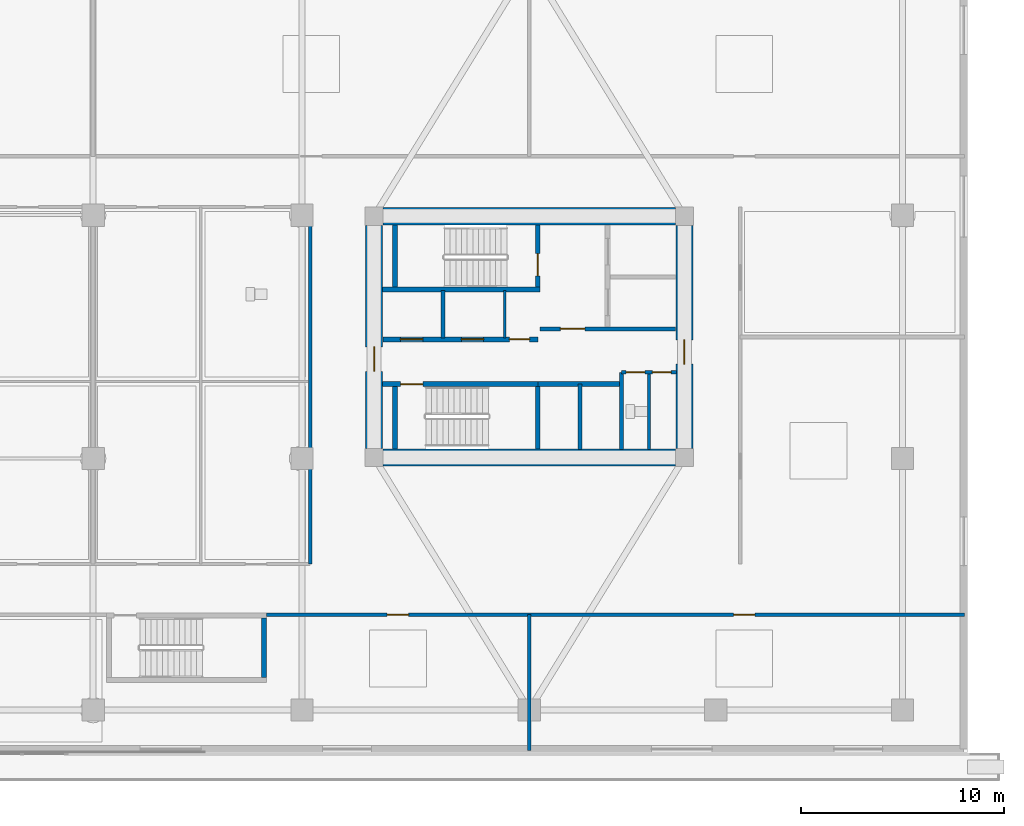
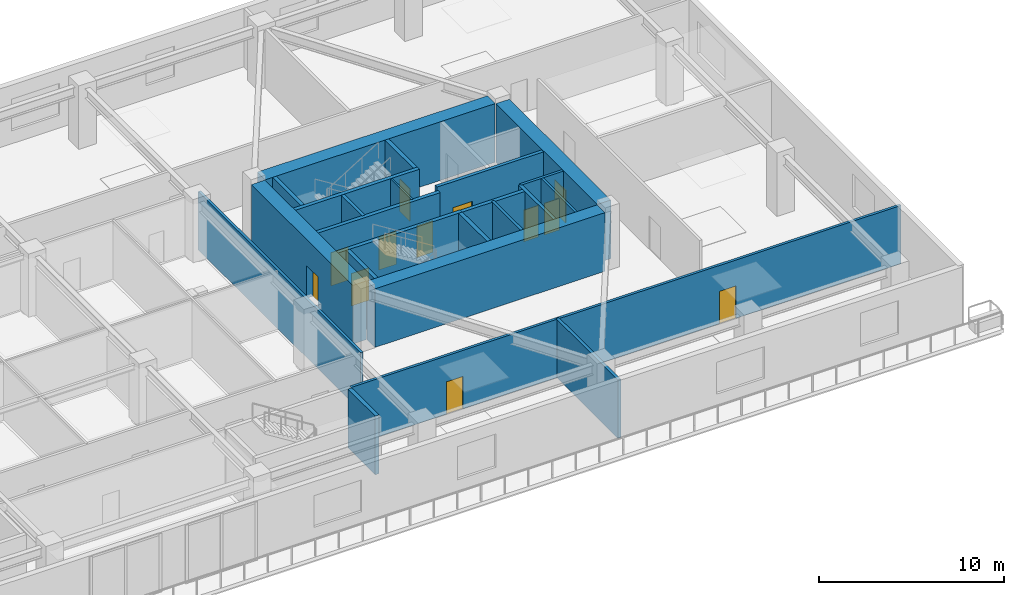
# One storey, part 10 of 22: 23 walls, 12 doors, 12 openings.
"""IFC4 building model written with IfcOpenShell, lengths in metres."""

from ifc_helpers import new_model, si_unit, direction, frame, frame_2d, origin, place, context, subcontext, project, spatial, rectangle, extrude, source, transform, mapped, material, layer, layer_set, type_object, type_shapes, element, fill, save


model = new_model("IFC4")

# Units and contexts
model_context = context("Model", 3, precision=1e-05, world=origin(), true_north=direction((0.0, 1.0)))
body_context = subcontext(model_context, "Body", "Model", "MODEL_VIEW")
ifc_project = project(units=[si_unit("LENGTHUNIT", "METRE"), si_unit("AREAUNIT", "SQUARE_METRE"), si_unit("VOLUMEUNIT", "CUBIC_METRE"), si_unit("PLANEANGLEUNIT", "RADIAN"), si_unit("MASSUNIT", "GRAM", prefix="KILO")], contexts=[model_context])

# Site, building, storey
site_placement = place(None, origin())
site = spatial("IfcSite", under=ifc_project, at=site_placement, CompositionType="ELEMENT")
building_placement = place(site_placement, origin())
building = spatial("IfcBuilding", under=site, at=building_placement, Name="Norrkilde Senior Care Towers", CompositionType="ELEMENT")
storey_placement = place(building_placement, frame((0.0, 0.0, 12.60009765625)))
storey = spatial("IfcBuildingStorey", under=building, at=storey_placement, Name="L03", CompositionType="ELEMENT", Elevation=12.60009765625)

# Walls
ifc_material_1 = material(Name="Concrete C60/75", Category="concrete")
ifc_layer_1 = layer(ifc_material_1, 0.85009765625)
ifc_layer_set_1 = layer_set([ifc_layer_1], Name="Concrete C60/75")
wall_type_1 = type_object("IfcWallType", Name="Core Shear Wall Z1 850", PredefinedType="SHEAR", material=ifc_layer_set_1)
shared_shape_1 = source(origin(), body_context, "Body", "SweptSolid", [
    extrude(rectangle(XDim=14.39990234375, YDim=0.85009765625, at=frame_2d((7.199951171875, 0.0))), origin(), (0.0, 0.0, 1.0), 3.8798828125),
])
for number, where, z_axis, x_axis, name in (
    (1, (20.800048828125, 5.949951171875, 0.0), (0.0, 0.0, 1.0), (1.0, 0.0, 0.0), "L03 Core E North Shear Wall"),
    (2, (35.199951171875, -5.949951171875, 0.0), (0.0, 0.0, 1.0), (-1.0, 0.0, 0.0), "L03 Core E South Shear Wall"),
):
    element("IfcWall", number, at=place(storey_placement, frame(where, z_axis=z_axis, x_axis=x_axis)), inside=storey, type_object=wall_type_1, Name=name, PredefinedType="SHEAR", context=body_context, shape_type="MappedRepresentation", body=[
        mapped(shared_shape_1, transform((0.0, 0.0, 0.0), x_axis=(1.0, 0.0, 0.0), y_axis=(0.0, 1.0, 0.0), z_axis=(0.0, 0.0, 1.0), scale=1.0)),
    ])

# Wall, opening, door
shared_shape_2 = source(origin(), body_context, "Body", "SweptSolid", [
    extrude(rectangle(XDim=11.0, YDim=0.85009765625, at=frame_2d((5.5, 0.0))), origin(), (0.0, 0.0, 1.0), 3.8798828125),
])
type_shapes(wall_type_1, [shared_shape_1, shared_shape_2])
wall_1_placement = place(storey_placement, frame((20.35009765625, -5.5, 0.0), z_axis=(0.0, 0.0, 1.0), x_axis=(0.0, 1.0, 0.0)))
wall_1 = element("IfcWall", 3, at=wall_1_placement, inside=storey, type_object=wall_type_1, Name="L03 Core E West Shear Wall", PredefinedType="SHEAR", context=body_context, shape_type="MappedRepresentation", body=[
    mapped(shared_shape_2, transform((0.0, 0.0, 0.0), x_axis=(1.0, 0.0, 0.0), y_axis=(0.0, 1.0, 0.0), z_axis=(0.0, 0.0, 1.0), scale=1.0)),
])
opening_1_placement = place(wall_1_placement, frame((3.800048828125, 0.0, 0.0)))
opening_1 = element("IfcOpeningElement", 4, at=opening_1_placement, cuts=wall_1, Name="Opening D-04", PredefinedType="OPENING", context=body_context, shape_type="SweptSolid", body=[
    extrude(rectangle(XDim=1.199951171875, YDim=2.14990234375, at=frame_2d((0.60009765625, 1.074951171875))), frame((0.0, 0.43505859375, 0.0), z_axis=(0.0, -1.0, 0.0), x_axis=(1.0, 0.0, 0.0)), (0.0, 0.0, 1.0), 0.8701171875),
])
ifc_material_2 = material(Name="Galvanised Painted Steel", Category="steel")
door_type_1 = type_object("IfcDoorType", Name="Firefighting Lobby Fire Door 1200x2150", OperationType="NOTDEFINED", PredefinedType="DOOR", material=ifc_material_2)
shared_shape_3 = source(origin(), body_context, "Body", "SweptSolid", [
    extrude(rectangle(XDim=1.199951171875, YDim=2.14990234375, at=frame_2d((0.60009765625, 1.074951171875))), frame((0.0, 0.02490234375, 0.0), z_axis=(0.0, -1.0, 0.0), x_axis=(1.0, 0.0, 0.0)), (0.0, 0.0, 1.0), 0.050048828125),
])
type_shapes(door_type_1, [shared_shape_3])
door_1_placement = place(opening_1_placement, frame((1.199951171875, 0.0, 0.0), z_axis=(0.0, 0.0, 1.0), x_axis=(-1.0, 0.0, 0.0)))
door_1 = element("IfcDoor", 5, at=door_1_placement, inside=storey, type_object=door_type_1, Name="L03 Core E West Portal Door", OperationType="SINGLE_SWING_LEFT", OverallHeight=2.14990234375, OverallWidth=1.199951171875, PredefinedType="DOOR", context=body_context, shape_type="MappedRepresentation", body=[
    mapped(shared_shape_3, transform((0.0, 0.0, 0.0), x_axis=(1.0, 0.0, 0.0), y_axis=(0.0, 1.0, 0.0), z_axis=(0.0, 0.0, 1.0), scale=1.0)),
])
fill(opening_1, door_1)

wall_2_placement = place(storey_placement, frame((35.64990234375, 5.5, 0.0), z_axis=(0.0, 0.0, 1.0), x_axis=(0.0, -1.0, 0.0)))
wall_2 = element("IfcWall", 6, at=wall_2_placement, inside=storey, type_object=wall_type_1, Name="L03 Core E East Shear Wall", PredefinedType="SHEAR", context=body_context, shape_type="MappedRepresentation", body=[
    mapped(shared_shape_2, transform((0.0, 0.0, 0.0), x_axis=(1.0, 0.0, 0.0), y_axis=(0.0, 1.0, 0.0), z_axis=(0.0, 0.0, 1.0), scale=1.0)),
])
opening_2_placement = place(wall_2_placement, frame((5.64990234375, 0.0, 0.0)))
opening_2 = element("IfcOpeningElement", 7, at=opening_2_placement, cuts=wall_2, Name="Opening D-04", PredefinedType="OPENING", context=body_context, shape_type="SweptSolid", body=[
    extrude(rectangle(XDim=1.199951171875, YDim=2.14990234375, at=frame_2d((0.60009765625, 1.074951171875))), frame((0.0, 0.43505859375, 0.0), z_axis=(0.0, -1.0, 0.0), x_axis=(1.0, 0.0, 0.0)), (0.0, 0.0, 1.0), 0.8701171875),
])
door_2_placement = place(opening_2_placement, frame((1.199951171875, 0.0, 0.0), z_axis=(0.0, 0.0, 1.0), x_axis=(-1.0, 0.0, 0.0)))
door_2 = element("IfcDoor", 8, at=door_2_placement, inside=storey, type_object=door_type_1, Name="L03 Core E East Portal Door", OperationType="SINGLE_SWING_RIGHT", OverallHeight=2.14990234375, OverallWidth=1.199951171875, PredefinedType="DOOR", context=body_context, shape_type="MappedRepresentation", body=[
    mapped(shared_shape_3, transform((0.0, 0.0, 0.0), x_axis=(1.0, 0.0, 0.0), y_axis=(0.0, 1.0, 0.0), z_axis=(0.0, 0.0, 1.0), scale=1.0)),
])
fill(opening_2, door_2)

# Wall
ifc_material_3 = material(Name="Concrete C45/55", Category="concrete")
ifc_layer_2 = layer(ifc_material_3, 0.239990234375)
ifc_layer_set_2 = layer_set([ifc_layer_2], Name="Concrete C45/55")
wall_type_2 = type_object("IfcWallType", Name="Shaft and Stair Enclosure Wall 240", PredefinedType="PARTITIONING", material=ifc_layer_set_2)
shared_shape_4 = source(origin(), body_context, "Body", "SweptSolid", [
    extrude(rectangle(XDim=7.76513671875, YDim=0.239990234375, at=frame_2d((3.882568359375, 0.0))), origin(), (0.0, 0.0, 1.0), 3.8798828125),
])
wall_3_placement = place(storey_placement, frame((20.77490234375, 2.330078125, 0.0), z_axis=(0.0, 0.0, 1.0), x_axis=(1.0, 0.0, 0.0)))
element("IfcWall", 9, at=wall_3_placement, inside=storey, type_object=wall_type_2, Name="WL-INT-L03-E-ST1S", PredefinedType="PARTITIONING", context=body_context, shape_type="MappedRepresentation", body=[
    mapped(shared_shape_4, transform((0.0, 0.0, 0.0), x_axis=(1.0, 0.0, 0.0), y_axis=(0.0, 1.0, 0.0), z_axis=(0.0, 0.0, 1.0), scale=1.0)),
])

# Wall, opening, door
wall_4_placement = place(storey_placement, frame((20.77490234375, -2.330078125, 0.0), z_axis=(0.0, 0.0, 1.0), x_axis=(1.0, 0.0, 0.0)))
wall_4 = element("IfcWall", 10, at=wall_4_placement, inside=storey, type_object=wall_type_2, Name="WL-INT-L03-E-ST2N", PredefinedType="PARTITIONING", context=body_context, shape_type="MappedRepresentation", body=[
    mapped(shared_shape_4, transform((0.0, 0.0, 0.0), x_axis=(1.0, 0.0, 0.0), y_axis=(0.0, 1.0, 0.0), z_axis=(0.0, 0.0, 1.0), scale=1.0)),
])
opening_3_placement = place(wall_4_placement, frame((0.885009765625, 0.0, 0.0)))
opening_3 = element("IfcOpeningElement", 11, at=opening_3_placement, cuts=wall_4, Name="Opening D-03", PredefinedType="OPENING", context=body_context, shape_type="SweptSolid", body=[
    extrude(rectangle(XDim=1.10009765625, YDim=2.14990234375, at=frame_2d((0.550048828125, 1.074951171875))), frame((0.0, 0.1298828125, 0.0), z_axis=(0.0, -1.0, 0.0), x_axis=(1.0, 0.0, 0.0)), (0.0, 0.0, 1.0), 0.260009765625),
])
door_type_2 = type_object("IfcDoorType", Name="Stairwell Protected Fire Door 1100x2150", OperationType="NOTDEFINED", PredefinedType="DOOR", material=ifc_material_2)
shared_shape_5 = source(origin(), body_context, "Body", "SweptSolid", [
    extrude(rectangle(XDim=1.10009765625, YDim=2.14990234375, at=frame_2d((0.550048828125, 1.074951171875))), frame((0.0, 0.02490234375, 0.0), z_axis=(0.0, -1.0, 0.0), x_axis=(1.0, 0.0, 0.0)), (0.0, 0.0, 1.0), 0.050048828125),
])
type_shapes(door_type_2, [shared_shape_5])
door_3_placement = place(opening_3_placement, frame((1.10009765625, 0.0, 0.0), z_axis=(0.0, 0.0, 1.0), x_axis=(-1.0, 0.0, 0.0)))
door_3 = element("IfcDoor", 12, at=door_3_placement, inside=storey, type_object=door_type_2, Name="L03 Stair E2 Fire Door", OperationType="SINGLE_SWING_RIGHT", OverallHeight=2.14990234375, OverallWidth=1.10009765625, PredefinedType="DOOR", context=body_context, shape_type="MappedRepresentation", body=[
    mapped(shared_shape_5, transform((0.0, 0.0, 0.0), x_axis=(1.0, 0.0, 0.0), y_axis=(0.0, 1.0, 0.0), z_axis=(0.0, 0.0, 1.0), scale=1.0)),
])
fill(opening_3, door_3)

# Wall
shared_shape_6 = source(origin(), body_context, "Body", "SweptSolid", [
    extrude(rectangle(XDim=3.074951171875, YDim=0.239990234375, at=frame_2d((1.53759765625, 0.0))), origin(), (0.0, 0.0, 1.0), 3.8798828125),
])
wall_5_placement = place(storey_placement, frame((21.3798828125, 2.449951171875, 0.0), z_axis=(0.0, 0.0, 1.0), x_axis=(0.0, 1.0, 0.0)))
element("IfcWall", 13, at=wall_5_placement, inside=storey, type_object=wall_type_2, Name="WL-INT-L03-E-ST1W", PredefinedType="PARTITIONING", context=body_context, shape_type="MappedRepresentation", body=[
    mapped(shared_shape_6, transform((0.0, 0.0, 0.0), x_axis=(1.0, 0.0, 0.0), y_axis=(0.0, 1.0, 0.0), z_axis=(0.0, 0.0, 1.0), scale=1.0)),
])

# Wall, opening, door
wall_6_placement = place(storey_placement, frame((28.419921875, 2.449951171875, 0.0), z_axis=(0.0, 0.0, 1.0), x_axis=(0.0, 1.0, 0.0)))
wall_6 = element("IfcWall", 14, at=wall_6_placement, inside=storey, type_object=wall_type_2, Name="WL-INT-L03-E-ST1E", PredefinedType="PARTITIONING", context=body_context, shape_type="MappedRepresentation", body=[
    mapped(shared_shape_6, transform((0.0, 0.0, 0.0), x_axis=(1.0, 0.0, 0.0), y_axis=(0.0, 1.0, 0.0), z_axis=(0.0, 0.0, 1.0), scale=1.0)),
])
opening_4_placement = place(wall_6_placement, frame((0.550048828125, 0.0, 0.0)))
opening_4 = element("IfcOpeningElement", 15, at=opening_4_placement, cuts=wall_6, Name="Opening D-03", PredefinedType="OPENING", context=body_context, shape_type="SweptSolid", body=[
    extrude(rectangle(XDim=1.10009765625, YDim=2.14990234375, at=frame_2d((0.550048828125, 1.074951171875))), frame((0.0, 0.1298828125, 0.0), z_axis=(0.0, -1.0, 0.0), x_axis=(1.0, 0.0, 0.0)), (0.0, 0.0, 1.0), 0.260009765625),
])
door_4_placement = place(opening_4_placement, origin())
door_4 = element("IfcDoor", 16, at=door_4_placement, inside=storey, type_object=door_type_2, Name="L03 Stair E1 Fire Door", OperationType="SINGLE_SWING_LEFT", OverallHeight=2.14990234375, OverallWidth=1.10009765625, PredefinedType="DOOR", context=body_context, shape_type="MappedRepresentation", body=[
    mapped(shared_shape_5, transform((0.0, 0.0, 0.0), x_axis=(1.0, 0.0, 0.0), y_axis=(0.0, 1.0, 0.0), z_axis=(0.0, 0.0, 1.0), scale=1.0)),
])
fill(opening_4, door_4)

# Walls
for number, where, z_axis, x_axis, name in (
    (17, (21.3798828125, -5.52490234375, 0.0), (0.0, 0.0, 1.0), (0.0, 1.0, 0.0), "WL-INT-L03-E-ST2W"),
    (18, (28.419921875, -5.52490234375, 0.0), (0.0, 0.0, 1.0), (0.0, 1.0, 0.0), "WL-INT-L03-E-ST2E"),
):
    element("IfcWall", number, at=place(storey_placement, frame(where, z_axis=z_axis, x_axis=x_axis)), inside=storey, type_object=wall_type_2, Name=name, PredefinedType="PARTITIONING", context=body_context, shape_type="MappedRepresentation", body=[
        mapped(shared_shape_6, transform((0.0, 0.0, 0.0), x_axis=(1.0, 0.0, 0.0), y_axis=(0.0, 1.0, 0.0), z_axis=(0.0, 0.0, 1.0), scale=1.0)),
    ])

# Wall, opening, door
ifc_layer_3 = layer(ifc_material_3, 0.2099609375)
ifc_layer_set_3 = layer_set([ifc_layer_3], Name="Concrete C45/55")
wall_type_3 = type_object("IfcWallType", Name="Firefighting Lobby Wall 210", PredefinedType="PARTITIONING", material=ifc_layer_set_3)
shared_shape_7 = source(origin(), body_context, "Body", "SweptSolid", [
    extrude(rectangle(XDim=6.659912109375, YDim=0.2099609375, at=frame_2d((3.330078125, 0.0))), origin(), (0.0, 0.0, 1.0), 3.864990234375),
])
type_shapes(wall_type_3, [shared_shape_7])
wall_7_placement = place(storey_placement, frame((28.5400390625, 0.389892578125, 0.0), z_axis=(0.0, 0.0, 1.0), x_axis=(1.0, 0.0, 0.0)))
wall_7 = element("IfcWall", 19, at=wall_7_placement, inside=storey, type_object=wall_type_3, Name="WL-INT-L03-E-FFLS", PredefinedType="PARTITIONING", context=body_context, shape_type="MappedRepresentation", body=[
    mapped(shared_shape_7, transform((0.0, 0.0, 0.0), x_axis=(1.0, 0.0, 0.0), y_axis=(0.0, 1.0, 0.0), z_axis=(0.0, 0.0, 1.0), scale=1.0)),
])
opening_5_placement = place(wall_7_placement, frame((1.0, 0.0, 0.0)))
opening_5 = element("IfcOpeningElement", 20, at=opening_5_placement, cuts=wall_7, Name="Opening D-04", PredefinedType="OPENING", context=body_context, shape_type="SweptSolid", body=[
    extrude(rectangle(XDim=1.199951171875, YDim=2.14990234375, at=frame_2d((0.60009765625, 1.074951171875))), frame((0.0, 0.114990234375, 0.0), z_axis=(0.0, -1.0, 0.0), x_axis=(1.0, 0.0, 0.0)), (0.0, 0.0, 1.0), 0.22998046875),
])
door_5_placement = place(opening_5_placement, frame((1.199951171875, 0.0, 0.0), z_axis=(0.0, 0.0, 1.0), x_axis=(-1.0, 0.0, 0.0)))
door_5 = element("IfcDoor", 21, at=door_5_placement, inside=storey, type_object=door_type_1, Name="L03 Firefighting Lobby E Door", OperationType="SINGLE_SWING_LEFT", OverallHeight=2.14990234375, OverallWidth=1.199951171875, PredefinedType="DOOR", context=body_context, shape_type="MappedRepresentation", body=[
    mapped(shared_shape_3, transform((0.0, 0.0, 0.0), x_axis=(1.0, 0.0, 0.0), y_axis=(0.0, 1.0, 0.0), z_axis=(0.0, 0.0, 1.0), scale=1.0)),
])
fill(opening_5, door_5)

# Wall, openings, doors
ifc_layer_4 = layer(ifc_material_3, 0.239990234375)
ifc_layer_set_4 = layer_set([ifc_layer_4], Name="Concrete C45/55")
wall_type_4 = type_object("IfcWallType", Name="Lift and Plant Rated Enclosure Partition 240", PredefinedType="PARTITIONING", material=ifc_layer_set_4)
shared_shape_8 = source(origin(), body_context, "Body", "SweptSolid", [
    extrude(rectangle(XDim=7.619873046875, YDim=0.239990234375, at=frame_2d((3.81005859375, 0.0))), origin(), (0.0, 0.0, 1.0), 3.864990234375),
])
wall_8_placement = place(storey_placement, frame((20.800048828125, -0.1298828125, 0.0), z_axis=(0.0, 0.0, 1.0), x_axis=(1.0, 0.0, 0.0)))
wall_8 = element("IfcWall", 22, at=wall_8_placement, inside=storey, type_object=wall_type_4, Name="WL-INT-L03-E-PKAS", PredefinedType="PARTITIONING", context=body_context, shape_type="MappedRepresentation", body=[
    mapped(shared_shape_8, transform((0.0, 0.0, 0.0), x_axis=(1.0, 0.0, 0.0), y_axis=(0.0, 1.0, 0.0), z_axis=(0.0, 0.0, 1.0), scale=1.0)),
])
opening_6_placement = place(wall_8_placement, frame((6.219970703125, 0.0, 0.0)))
opening_6 = element("IfcOpeningElement", 23, at=opening_6_placement, cuts=wall_8, Name="Opening D-10", PredefinedType="OPENING", context=body_context, shape_type="SweptSolid", body=[
    extrude(rectangle(XDim=1.0, YDim=2.10009765625, at=frame_2d((0.5, 1.050048828125))), frame((0.0, 0.1298828125, 0.0), z_axis=(0.0, -1.0, 0.0), x_axis=(1.0, 0.0, 0.0)), (0.0, 0.0, 1.0), 0.260009765625),
])
opening_7_placement = place(wall_8_placement, frame((0.85009765625, 0.0, 0.0)))
opening_7 = element("IfcOpeningElement", 24, at=opening_7_placement, cuts=wall_8, Name="Opening LD-01", PredefinedType="OPENING", context=body_context, shape_type="SweptSolid", body=[
    extrude(rectangle(XDim=1.10009765625, YDim=2.199951171875, at=frame_2d((0.550048828125, 1.10009765625))), frame((0.0, 0.1298828125, 0.0), z_axis=(0.0, -1.0, 0.0), x_axis=(1.0, 0.0, 0.0)), (0.0, 0.0, 1.0), 0.260009765625),
])
opening_8_placement = place(wall_8_placement, frame((3.85009765625, 0.0, 0.0)))
opening_8 = element("IfcOpeningElement", 25, at=opening_8_placement, cuts=wall_8, Name="Opening LD-01", PredefinedType="OPENING", context=body_context, shape_type="SweptSolid", body=[
    extrude(rectangle(XDim=1.10009765625, YDim=2.199951171875, at=frame_2d((0.550048828125, 1.10009765625))), frame((0.0, 0.1298828125, 0.0), z_axis=(0.0, -1.0, 0.0), x_axis=(1.0, 0.0, 0.0)), (0.0, 0.0, 1.0), 0.260009765625),
])
door_type_3 = type_object("IfcDoorType", Name="Plant and Riser Rated Door 1000x2100", OperationType="NOTDEFINED", PredefinedType="DOOR", material=ifc_material_2)
shared_shape_9 = source(origin(), body_context, "Body", "SweptSolid", [
    extrude(rectangle(XDim=1.0, YDim=2.10009765625, at=frame_2d((0.5, 1.050048828125))), frame((0.0, 0.02490234375, 0.0), z_axis=(0.0, -1.0, 0.0), x_axis=(1.0, 0.0, 0.0)), (0.0, 0.0, 1.0), 0.050048828125),
])
type_shapes(door_type_3, [shared_shape_9])
door_6_placement = place(opening_6_placement, frame((1.0, 0.0, 0.0), z_axis=(0.0, 0.0, 1.0), x_axis=(-1.0, 0.0, 0.0)))
door_6 = element("IfcDoor", 26, at=door_6_placement, inside=storey, type_object=door_type_3, Name="L03 Electrical Riser E Door", OperationType="SINGLE_SWING_LEFT", OverallHeight=2.10009765625, OverallWidth=1.0, PredefinedType="DOOR", context=body_context, shape_type="MappedRepresentation", body=[
    mapped(shared_shape_9, transform((0.0, 0.0, 0.0), x_axis=(1.0, 0.0, 0.0), y_axis=(0.0, 1.0, 0.0), z_axis=(0.0, 0.0, 1.0), scale=1.0)),
])
fill(opening_6, door_6)
ifc_material_4 = material(Name="Stainless Steel", Category="steel")
door_type_4 = type_object("IfcDoorType", Name="Lift Landing Sliding Door 1100x2200", OperationType="NOTDEFINED", PredefinedType="DOOR", material=ifc_material_4)
shared_shape_10 = source(origin(), body_context, "Body", "SweptSolid", [
    extrude(rectangle(XDim=1.10009765625, YDim=2.199951171875, at=frame_2d((0.550048828125, 1.10009765625))), frame((0.0, 0.02490234375, 0.0), z_axis=(0.0, -1.0, 0.0), x_axis=(1.0, 0.0, 0.0)), (0.0, 0.0, 1.0), 0.050048828125),
])
type_shapes(door_type_4, [shared_shape_10])
door_7_placement = place(opening_7_placement, origin())
door_7 = element("IfcDoor", 27, at=door_7_placement, inside=storey, type_object=door_type_4, Name="L03 Passenger Lift E1 Landing Door", OperationType="SLIDING_TO_LEFT", OverallHeight=2.199951171875, OverallWidth=1.10009765625, PredefinedType="DOOR", context=body_context, shape_type="MappedRepresentation", body=[
    mapped(shared_shape_10, transform((0.0, 0.0, 0.0), x_axis=(1.0, 0.0, 0.0), y_axis=(0.0, 1.0, 0.0), z_axis=(0.0, 0.0, 1.0), scale=1.0)),
])
fill(opening_7, door_7)
door_8_placement = place(opening_8_placement, origin())
door_8 = element("IfcDoor", 28, at=door_8_placement, inside=storey, type_object=door_type_4, Name="L03 Passenger Lift E2 Landing Door", OperationType="SLIDING_TO_RIGHT", OverallHeight=2.199951171875, OverallWidth=1.10009765625, PredefinedType="DOOR", context=body_context, shape_type="MappedRepresentation", body=[
    mapped(shared_shape_10, transform((0.0, 0.0, 0.0), x_axis=(1.0, 0.0, 0.0), y_axis=(0.0, 1.0, 0.0), z_axis=(0.0, 0.0, 1.0), scale=1.0)),
])
fill(opening_8, door_8)

# Walls
ifc_material_5 = material(Name="Gypsum Acoustic Board")
ifc_layer_5 = layer(ifc_material_5, 0.114990234375)
ifc_layer_set_5 = layer_set([ifc_layer_5], Name="Gypsum Acoustic Board")
wall_type_5 = type_object("IfcWallType", Name="Internal Room Partition 115", PredefinedType="PARTITIONING", material=ifc_layer_set_5)
shared_shape_11 = source(origin(), body_context, "Body", "SweptSolid", [
    extrude(rectangle(XDim=2.330078125, YDim=0.114990234375, at=frame_2d((1.1650390625, 0.0))), origin(), (0.0, 0.0, 1.0), 3.864990234375),
])
type_shapes(wall_type_5, [shared_shape_11])
wall_9_placement = place(storey_placement, frame((26.7900390625, -0.050048828125, 0.0), z_axis=(0.0, 0.0, 1.0), x_axis=(0.0, 1.0, 0.0)))
element("IfcWall", 29, at=wall_9_placement, inside=storey, type_object=wall_type_5, Name="WL-INT-L03-E-RISW", PredefinedType="PARTITIONING", context=body_context, shape_type="MappedRepresentation", body=[
    mapped(shared_shape_11, transform((0.0, 0.0, 0.0), x_axis=(1.0, 0.0, 0.0), y_axis=(0.0, 1.0, 0.0), z_axis=(0.0, 0.0, 1.0), scale=1.0)),
])
ifc_layer_6 = layer(ifc_material_3, 0.199951171875)
ifc_layer_set_6 = layer_set([ifc_layer_6], Name="Concrete C45/55")
wall_type_6 = type_object("IfcWallType", Name="Shaft Division and Plant Partition 200", PredefinedType="PARTITIONING", material=ifc_layer_set_6)
shared_shape_12 = source(origin(), body_context, "Body", "SweptSolid", [
    extrude(rectangle(XDim=2.330078125, YDim=0.199951171875, at=frame_2d((1.1650390625, 0.0))), origin(), (0.0, 0.0, 1.0), 3.864990234375),
])
wall_10_placement = place(storey_placement, frame((23.75, -0.050048828125, 0.0), z_axis=(0.0, 0.0, 1.0), x_axis=(0.0, 1.0, 0.0)))
element("IfcWall", 30, at=wall_10_placement, inside=storey, type_object=wall_type_6, Name="WL-INT-L03-E-PL12", PredefinedType="PARTITIONING", context=body_context, shape_type="MappedRepresentation", body=[
    mapped(shared_shape_12, transform((0.0, 0.0, 0.0), x_axis=(1.0, 0.0, 0.0), y_axis=(0.0, 1.0, 0.0), z_axis=(0.0, 0.0, 1.0), scale=1.0)),
])
shared_shape_13 = source(origin(), body_context, "Body", "SweptSolid", [
    extrude(rectangle(XDim=3.800048828125, YDim=0.199951171875, at=frame_2d((1.89990234375, 0.0))), origin(), (0.0, 0.0, 1.0), 3.864990234375),
])
type_shapes(wall_type_6, [shared_shape_12, shared_shape_13])
wall_11_placement = place(storey_placement, frame((32.550048828125, -5.550048828125, 0.0), z_axis=(0.0, 0.0, 1.0), x_axis=(0.0, 1.0, 0.0)))
element("IfcWall", 31, at=wall_11_placement, inside=storey, type_object=wall_type_6, Name="WL-INT-L03-E-PKBE", PredefinedType="PARTITIONING", context=body_context, shape_type="MappedRepresentation", body=[
    mapped(shared_shape_13, transform((0.0, 0.0, 0.0), x_axis=(1.0, 0.0, 0.0), y_axis=(0.0, 1.0, 0.0), z_axis=(0.0, 0.0, 1.0), scale=1.0)),
])
shared_shape_14 = source(origin(), body_context, "Body", "SweptSolid", [
    extrude(rectangle(XDim=4.130126953125, YDim=0.239990234375, at=frame_2d((2.06494140625, 0.0))), origin(), (0.0, 0.0, 1.0), 3.864990234375),
])
type_shapes(wall_type_4, [shared_shape_8, shared_shape_14])
wall_12_placement = place(storey_placement, frame((28.419921875, -2.330078125, 0.0), z_axis=(0.0, 0.0, 1.0), x_axis=(1.0, 0.0, 0.0)))
element("IfcWall", 32, at=wall_12_placement, inside=storey, type_object=wall_type_4, Name="WL-INT-L03-E-PKBN", PredefinedType="PARTITIONING", context=body_context, shape_type="MappedRepresentation", body=[
    mapped(shared_shape_14, transform((0.0, 0.0, 0.0), x_axis=(1.0, 0.0, 0.0), y_axis=(0.0, 1.0, 0.0), z_axis=(0.0, 0.0, 1.0), scale=1.0)),
])
ifc_layer_7 = layer(ifc_material_3, 0.179931640625)
ifc_layer_set_7 = layer_set([ifc_layer_7], Name="Concrete C45/55")
wall_type_7 = type_object("IfcWallType", Name="Hoistway Division Rated Partition 180", PredefinedType="PARTITIONING", material=ifc_layer_set_7)
shared_shape_15 = source(origin(), body_context, "Body", "SweptSolid", [
    extrude(rectangle(XDim=3.219970703125, YDim=0.179931640625, at=frame_2d((1.60986328125, 0.0))), origin(), (0.0, 0.0, 1.0), 3.864990234375),
])
type_shapes(wall_type_7, [shared_shape_15])
wall_13_placement = place(storey_placement, frame((30.5, -5.550048828125, 0.0), z_axis=(0.0, 0.0, 1.0), x_axis=(0.0, 1.0, 0.0)))
element("IfcWall", 33, at=wall_13_placement, inside=storey, type_object=wall_type_7, Name="WL-INT-L03-E-PL34", PredefinedType="PARTITIONING", context=body_context, shape_type="MappedRepresentation", body=[
    mapped(shared_shape_15, transform((0.0, 0.0, 0.0), x_axis=(1.0, 0.0, 0.0), y_axis=(0.0, 1.0, 0.0), z_axis=(0.0, 0.0, 1.0), scale=1.0)),
])

# Wall, openings, doors
ifc_layer_8 = layer(ifc_material_5, 0.1650390625)
ifc_layer_set_8 = layer_set([ifc_layer_8], Name="Gypsum Acoustic Board")
wall_type_8 = type_object("IfcWallType", Name="Corridor Rated Partition 165", PredefinedType="PARTITIONING", material=ifc_layer_set_8)
shared_shape_16 = source(origin(), body_context, "Body", "SweptSolid", [
    extrude(rectangle(XDim=2.699951171875, YDim=0.1650390625, at=frame_2d((1.35009765625, 0.0))), origin(), (0.0, 0.0, 1.0), 3.864990234375),
])
wall_14_placement = place(storey_placement, frame((32.550048828125, -1.75, 0.0), z_axis=(0.0, 0.0, 1.0), x_axis=(1.0, 0.0, 0.0)))
wall_14 = element("IfcWall", 34, at=wall_14_placement, inside=storey, type_object=wall_type_8, Name="WL-INT-L03-E-CSN", PredefinedType="PARTITIONING", context=body_context, shape_type="MappedRepresentation", body=[
    mapped(shared_shape_16, transform((0.0, 0.0, 0.0), x_axis=(1.0, 0.0, 0.0), y_axis=(0.0, 1.0, 0.0), z_axis=(0.0, 0.0, 1.0), scale=1.0)),
])
opening_9_placement = place(wall_14_placement, frame((0.222412109375, 0.0, 0.0)))
opening_9 = element("IfcOpeningElement", 35, at=opening_9_placement, cuts=wall_14, Name="Opening D-12", PredefinedType="OPENING", context=body_context, shape_type="SweptSolid", body=[
    extrude(rectangle(XDim=0.925048828125, YDim=2.10009765625, at=frame_2d((0.46240234375, 1.050048828125))), frame((0.0, 0.092529296875, 0.0), z_axis=(0.0, -1.0, 0.0), x_axis=(1.0, 0.0, 0.0)), (0.0, 0.0, 1.0), 0.18505859375),
])
opening_10_placement = place(wall_14_placement, frame((1.5224609375, 0.0, 0.0)))
opening_10 = element("IfcOpeningElement", 36, at=opening_10_placement, cuts=wall_14, Name="Opening D-12", PredefinedType="OPENING", context=body_context, shape_type="SweptSolid", body=[
    extrude(rectangle(XDim=0.925048828125, YDim=2.10009765625, at=frame_2d((0.46240234375, 1.050048828125))), frame((0.0, 0.092529296875, 0.0), z_axis=(0.0, -1.0, 0.0), x_axis=(1.0, 0.0, 0.0)), (0.0, 0.0, 1.0), 0.18505859375),
])
door_type_5 = type_object("IfcDoorType", Name="Core Wet Room Rated Door 925x2100", OperationType="NOTDEFINED", PredefinedType="DOOR", material=ifc_material_2)
shared_shape_17 = source(origin(), body_context, "Body", "SweptSolid", [
    extrude(rectangle(XDim=0.925048828125, YDim=2.10009765625, at=frame_2d((0.46240234375, 1.050048828125))), frame((0.0, 0.02490234375, 0.0), z_axis=(0.0, -1.0, 0.0), x_axis=(1.0, 0.0, 0.0)), (0.0, 0.0, 1.0), 0.050048828125),
])
type_shapes(door_type_5, [shared_shape_17])
door_9_placement = place(opening_9_placement, origin())
door_9 = element("IfcDoor", 37, at=door_9_placement, inside=storey, type_object=door_type_5, Name="L03 Staff Accessible WC E Door", OperationType="SINGLE_SWING_LEFT", OverallHeight=2.10009765625, OverallWidth=0.925048828125, PredefinedType="DOOR", context=body_context, shape_type="MappedRepresentation", body=[
    mapped(shared_shape_17, transform((0.0, 0.0, 0.0), x_axis=(1.0, 0.0, 0.0), y_axis=(0.0, 1.0, 0.0), z_axis=(0.0, 0.0, 1.0), scale=1.0)),
])
fill(opening_9, door_9)
door_10_placement = place(opening_10_placement, origin())
door_10 = element("IfcDoor", 38, at=door_10_placement, inside=storey, type_object=door_type_5, Name="L03 Housekeeping Store E Door", OperationType="SINGLE_SWING_RIGHT", OverallHeight=2.10009765625, OverallWidth=0.925048828125, PredefinedType="DOOR", context=body_context, shape_type="MappedRepresentation", body=[
    mapped(shared_shape_17, transform((0.0, 0.0, 0.0), x_axis=(1.0, 0.0, 0.0), y_axis=(0.0, 1.0, 0.0), z_axis=(0.0, 0.0, 1.0), scale=1.0)),
])
fill(opening_10, door_10)

# Walls
shared_shape_18 = source(origin(), body_context, "Body", "SweptSolid", [
    extrude(rectangle(XDim=2.949951171875, YDim=0.239990234375, at=frame_2d((1.47509765625, 0.0))), origin(), (0.0, 0.0, 1.0), 3.8798828125),
])
type_shapes(wall_type_2, [shared_shape_4, shared_shape_6, shared_shape_18])
wall_15_placement = place(storey_placement, frame((14.919921875, -16.800048828125, 0.0), z_axis=(0.0, 0.0, 1.0), x_axis=(0.0, 1.0, 0.0)))
element("IfcWall", 39, at=wall_15_placement, inside=storey, type_object=wall_type_2, Name="WL-INT-L03-STP2-E", PredefinedType="PARTITIONING", context=body_context, shape_type="MappedRepresentation", body=[
    mapped(shared_shape_18, transform((0.0, 0.0, 0.0), x_axis=(1.0, 0.0, 0.0), y_axis=(0.0, 1.0, 0.0), z_axis=(0.0, 0.0, 1.0), scale=1.0)),
])
shared_shape_19 = source(origin(), body_context, "Body", "SweptSolid", [
    extrude(rectangle(XDim=17.599853515625, YDim=0.1650390625, at=frame_2d((8.7998046875, 0.0))), origin(), (0.0, 0.0, 1.0), 3.864990234375),
])
wall_16_placement = place(storey_placement, frame((17.199951171875, -11.199951171875, 0.0), z_axis=(0.0, 0.0, 1.0), x_axis=(0.0, 1.0, 0.0)))
element("IfcWall", 40, at=wall_16_placement, inside=storey, type_object=wall_type_8, Name="WL-INT-L03-POD-E", PredefinedType="PARTITIONING", context=body_context, shape_type="MappedRepresentation", body=[
    mapped(shared_shape_19, transform((0.0, 0.0, 0.0), x_axis=(1.0, 0.0, 0.0), y_axis=(0.0, 1.0, 0.0), z_axis=(0.0, 0.0, 1.0), scale=1.0)),
])

# Wall, openings, doors
shared_shape_20 = source(origin(), body_context, "Body", "SweptSolid", [
    extrude(rectangle(XDim=34.39990234375, YDim=0.1650390625, at=frame_2d((17.199951171875, 0.0))), origin(), (0.0, 0.0, 1.0), 3.864990234375),
])
type_shapes(wall_type_8, [shared_shape_16, shared_shape_19, shared_shape_20])
wall_17_placement = place(storey_placement, frame((15.050048828125, -13.699951171875, 0.0), z_axis=(0.0, 0.0, 1.0), x_axis=(1.0, 0.0, 0.0)))
wall_17 = element("IfcWall", 41, at=wall_17_placement, inside=storey, type_object=wall_type_8, Name="WL-INT-L03-POD-SPE", PredefinedType="PARTITIONING", context=body_context, shape_type="MappedRepresentation", body=[
    mapped(shared_shape_20, transform((0.0, 0.0, 0.0), x_axis=(1.0, 0.0, 0.0), y_axis=(0.0, 1.0, 0.0), z_axis=(0.0, 0.0, 1.0), scale=1.0)),
])
opening_11_placement = place(wall_17_placement, frame((5.949951171875, 0.0, 0.0)))
opening_11 = element("IfcOpeningElement", 42, at=opening_11_placement, cuts=wall_17, Name="Opening D-06", PredefinedType="OPENING", context=body_context, shape_type="SweptSolid", body=[
    extrude(rectangle(XDim=1.050048828125, YDim=2.14990234375, at=frame_2d((0.52490234375, 1.074951171875))), frame((0.0, 0.092529296875, 0.0), z_axis=(0.0, -1.0, 0.0), x_axis=(1.0, 0.0, 0.0)), (0.0, 0.0, 1.0), 0.18505859375),
])
opening_12_placement = place(wall_17_placement, frame((23.02490234375, 0.0, 0.0)))
opening_12 = element("IfcOpeningElement", 43, at=opening_12_placement, cuts=wall_17, Name="Opening D-06", PredefinedType="OPENING", context=body_context, shape_type="SweptSolid", body=[
    extrude(rectangle(XDim=1.050048828125, YDim=2.14990234375, at=frame_2d((0.52490234375, 1.074951171875))), frame((0.0, 0.092529296875, 0.0), z_axis=(0.0, -1.0, 0.0), x_axis=(1.0, 0.0, 0.0)), (0.0, 0.0, 1.0), 0.18505859375),
])
ifc_material_6 = material(Name="Nordic Ash Timber", Category="wood")
door_type_6 = type_object("IfcDoorType", Name="Apartment Entrance Fire Door 1050x2150", OperationType="NOTDEFINED", PredefinedType="DOOR", material=ifc_material_6)
shared_shape_21 = source(origin(), body_context, "Body", "SweptSolid", [
    extrude(rectangle(XDim=1.050048828125, YDim=2.14990234375, at=frame_2d((0.52490234375, 1.074951171875))), frame((0.0, 0.02490234375, 0.0), z_axis=(0.0, -1.0, 0.0), x_axis=(1.0, 0.0, 0.0)), (0.0, 0.0, 1.0), 0.050048828125),
])
type_shapes(door_type_6, [shared_shape_21])
door_11_placement = place(opening_11_placement, frame((1.050048828125, 0.0, 0.0), z_axis=(0.0, 0.0, 1.0), x_axis=(-1.0, 0.0, 0.0)))
door_11 = element("IfcDoor", 44, at=door_11_placement, inside=storey, type_object=door_type_6, Name="L03 South Suite SE1 Door", OperationType="SINGLE_SWING_RIGHT", OverallHeight=2.14990234375, OverallWidth=1.050048828125, PredefinedType="DOOR", context=body_context, shape_type="MappedRepresentation", body=[
    mapped(shared_shape_21, transform((0.0, 0.0, 0.0), x_axis=(1.0, 0.0, 0.0), y_axis=(0.0, 1.0, 0.0), z_axis=(0.0, 0.0, 1.0), scale=1.0)),
])
fill(opening_11, door_11)
door_12_placement = place(opening_12_placement, frame((1.050048828125, 0.0, 0.0), z_axis=(0.0, 0.0, 1.0), x_axis=(-1.0, 0.0, 0.0)))
door_12 = element("IfcDoor", 45, at=door_12_placement, inside=storey, type_object=door_type_6, Name="L03 South Suite SE2 Door", OperationType="SINGLE_SWING_LEFT", OverallHeight=2.14990234375, OverallWidth=1.050048828125, PredefinedType="DOOR", context=body_context, shape_type="MappedRepresentation", body=[
    mapped(shared_shape_21, transform((0.0, 0.0, 0.0), x_axis=(1.0, 0.0, 0.0), y_axis=(0.0, 1.0, 0.0), z_axis=(0.0, 0.0, 1.0), scale=1.0)),
])
fill(opening_12, door_12)

# Walls
ifc_layer_9 = layer(ifc_material_5, 0.139892578125)
ifc_layer_set_9 = layer_set([ifc_layer_9], Name="Gypsum Acoustic Board")
wall_type_9 = type_object("IfcWallType", Name="En-suite Wet Room Wall 140", PredefinedType="PARTITIONING", material=ifc_layer_set_9)
shared_shape_22 = source(origin(), body_context, "Body", "SweptSolid", [
    extrude(rectangle(XDim=3.800048828125, YDim=0.139892578125, at=frame_2d((1.89990234375, 0.0))), origin(), (0.0, 0.0, 1.0), 3.864990234375),
])
type_shapes(wall_type_9, [shared_shape_22])
wall_18_placement = place(storey_placement, frame((33.89990234375, -5.550048828125, 0.0), z_axis=(0.0, 0.0, 1.0), x_axis=(0.0, 1.0, 0.0)))
element("IfcWall", 46, at=wall_18_placement, inside=storey, type_object=wall_type_9, Name="WL-INT-L03-E-CS1V", PredefinedType="PARTITIONING", context=body_context, shape_type="MappedRepresentation", body=[
    mapped(shared_shape_22, transform((0.0, 0.0, 0.0), x_axis=(1.0, 0.0, 0.0), y_axis=(0.0, 1.0, 0.0), z_axis=(0.0, 0.0, 1.0), scale=1.0)),
])
ifc_layer_10 = layer(ifc_material_5, 0.18994140625)
ifc_layer_set_10 = layer_set([ifc_layer_10], Name="Gypsum Acoustic Board")
wall_type_10 = type_object("IfcWallType", Name="Unit Demising Acoustic Wall 190", PredefinedType="PARTITIONING", material=ifc_layer_set_10)
shared_shape_23 = source(origin(), body_context, "Body", "SweptSolid", [
    extrude(rectangle(XDim=6.699951171875, YDim=0.18994140625, at=frame_2d((3.35009765625, 0.0))), origin(), (0.0, 0.0, 1.0), 3.864990234375),
])
type_shapes(wall_type_10, [shared_shape_23])
wall_19_placement = place(storey_placement, frame((28.0, -20.39990234375, 0.0), z_axis=(0.0, 0.0, 1.0), x_axis=(0.0, 1.0, 0.0)))
element("IfcWall", 47, at=wall_19_placement, inside=storey, type_object=wall_type_10, Name="WL-INT-L03-POD-SED", PredefinedType="PARTITIONING", context=body_context, shape_type="MappedRepresentation", body=[
    mapped(shared_shape_23, transform((0.0, 0.0, 0.0), x_axis=(1.0, 0.0, 0.0), y_axis=(0.0, 1.0, 0.0), z_axis=(0.0, 0.0, 1.0), scale=1.0)),
])

save(model, "model.ifc")
